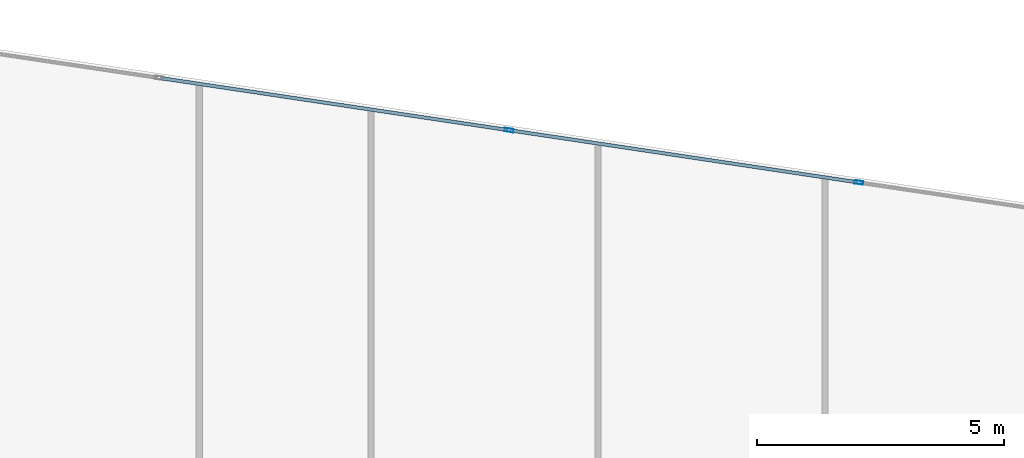
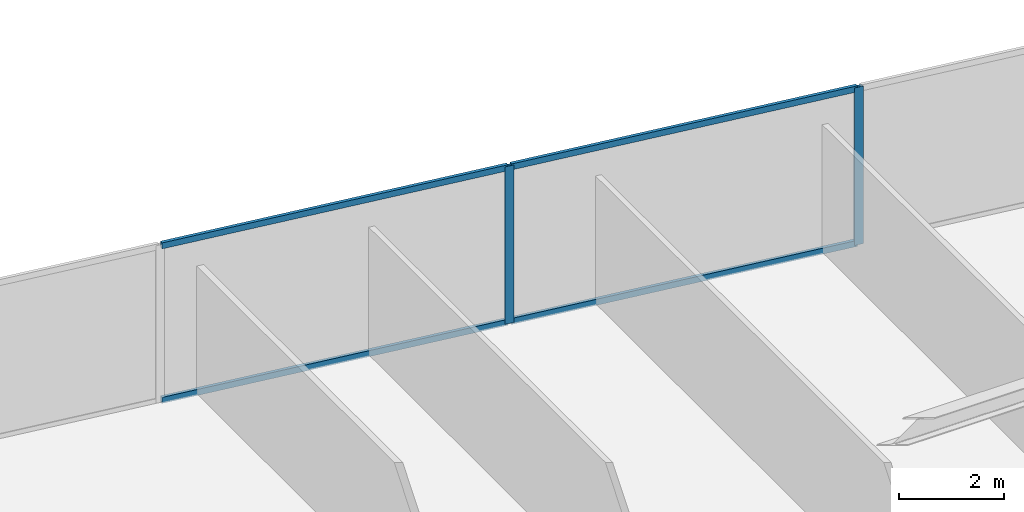
# One storey, part 19 of 29: 6 members, 1 element without a shape of its own.
"""IFC4 building model written with IfcOpenShell, lengths in metres."""

from ifc_helpers import new_model, si_unit, direction, frame, origin, origin_2d, place, context, subcontext, project, spatial, hollow_rectangle, extrude, source, transform, mapped, material, material_profile, profile_set, type_object, type_shapes, element, aggregate, save


model = new_model("IFC4")

# Units and contexts
model_context = context("Model", 3, precision=1e-05, world=origin(), true_north=direction((0.0, 1.0)))
body_context = subcontext(model_context, "Body", "Model", "MODEL_VIEW")
ifc_project = project(units=[si_unit("LENGTHUNIT", "METRE"), si_unit("AREAUNIT", "SQUARE_METRE"), si_unit("VOLUMEUNIT", "CUBIC_METRE"), si_unit("PLANEANGLEUNIT", "RADIAN"), si_unit("MASSUNIT", "GRAM", prefix="KILO")], contexts=[model_context])

# Site, building, storey
site_placement = place(None, origin())
site = spatial("IfcSite", under=ifc_project, at=site_placement, CompositionType="ELEMENT")
building_placement = place(site_placement, origin())
building = spatial("IfcBuilding", under=site, at=building_placement, Name="Krantzveldt Concourse Tower", CompositionType="ELEMENT")
storey_placement = place(building_placement, frame((0.0, 0.0, 72.39990234375)))
storey = spatial("IfcBuildingStorey", under=building, at=storey_placement, Name="L17", CompositionType="ELEMENT", Elevation=72.39990234375)

# Curtain wall, members
ifc_material = material(Name="Anodised aluminium 6063-T6", Category="aluminium")
curtain_wall_type = type_object("IfcCurtainWallType", Name="CW2", PredefinedType="USERDEFINED", material=ifc_material)
curtain_wall_placement = place(storey_placement, origin())
curtain_wall = element("IfcCurtainWall", 1, at=curtain_wall_placement, inside=storey, type_object=curtain_wall_type, Name="CW-L17-F10", ObjectType="UNITISED CURTAIN WALL", PredefinedType="USERDEFINED")
ifc_material_profile_1 = material_profile(ifc_material, hollow_rectangle(XDim=0.070068359375, YDim=0.179931640625, WallThickness=0.0048828125, at=origin_2d()), Name="Anodised aluminium 6063-T6", Category="aluminium")
ifc_profile_set_1 = profile_set([ifc_material_profile_1], Name="Anodised aluminium 6063-T6 - ALU-MULL 180x70x5")
member_type_1 = type_object("IfcMemberType", Name="CW-MUL-180", PredefinedType="MULLION", material=ifc_profile_set_1)
shared_shape_1 = source(origin(), body_context, "Body", "SweptSolid", [
    extrude(hollow_rectangle(XDim=0.070068359375, YDim=0.179931640625, WallThickness=0.0048828125, at=origin_2d()), origin(), (0.0, 0.0, 1.0), 3.670166015625),
])
type_shapes(member_type_1, [shared_shape_1])
member_1_placement = place(storey_placement, frame((39.681884765625, 51.33642578125, 0.0), z_axis=(0.0, 0.0, 1.0), x_axis=(-0.147809505412, -0.989015849271, 0.0)))
member_1 = element("IfcMember", 2, at=member_1_placement, type_object=member_type_1, Name="CW-Z12 mullion 4", PredefinedType="MULLION", context=body_context, shape_type="MappedRepresentation", body=[
    mapped(shared_shape_1, transform((0.0, 0.0, 0.0), x_axis=(1.0, 0.0, 0.0), y_axis=(0.0, 1.0, 0.0), z_axis=(0.0, 0.0, 1.0), scale=1.0)),
])
member_2_placement = place(storey_placement, frame((32.593994140625, 52.395751953125, 0.0), z_axis=(0.0, 0.0, 1.0), x_axis=(-0.147809505412, -0.989015849271, 0.0)))
member_2 = element("IfcMember", 3, at=member_2_placement, type_object=member_type_1, Name="CW-Z12 mullion 5", PredefinedType="MULLION", context=body_context, shape_type="MappedRepresentation", body=[
    mapped(shared_shape_1, transform((0.0, 0.0, 0.0), x_axis=(1.0, 0.0, 0.0), y_axis=(0.0, 1.0, 0.0), z_axis=(0.0, 0.0, 1.0), scale=1.0)),
])
ifc_material_profile_2 = material_profile(ifc_material, hollow_rectangle(XDim=0.070068359375, YDim=0.139892578125, WallThickness=0.0048828125, at=origin_2d()), Name="Anodised aluminium 6063-T6", Category="aluminium")
ifc_profile_set_2 = profile_set([ifc_material_profile_2], Name="Anodised aluminium 6063-T6 - ALU-TRAN 140x70x5")
member_type_2 = type_object("IfcMemberType", Name="CW-TRN-150", PredefinedType="USERDEFINED", material=ifc_profile_set_2)
shared_shape_2 = source(origin(), body_context, "Body", "SweptSolid", [
    extrude(hollow_rectangle(XDim=0.070068359375, YDim=0.139892578125, WallThickness=0.0048828125, at=origin_2d()), origin(), (0.0, 0.0, 1.0), 7.096435546875),
])
type_shapes(member_type_2, [shared_shape_2])
member_3_placement = place(storey_placement, frame((39.647216796875, 51.341552734375, 0.03515625), z_axis=(-0.989012933084, 0.147829016748, 0.0), x_axis=(-0.147829016748, -0.989012933084, 0.0)))
member_3 = element("IfcMember", 4, at=member_3_placement, type_object=member_type_2, Name="CW-Z12 transom 4.1", ObjectType="TRANSOM", PredefinedType="USERDEFINED", context=body_context, shape_type="MappedRepresentation", body=[
    mapped(shared_shape_2, transform((0.0, 0.0, 0.0), x_axis=(1.0, 0.0, 0.0), y_axis=(0.0, 1.0, 0.0), z_axis=(0.0, 0.0, 1.0), scale=1.0)),
])
member_4_placement = place(storey_placement, frame((39.647216796875, 51.341552734375, 3.635009765625), z_axis=(-0.989012933084, 0.147829016748, 0.0), x_axis=(-0.147829016748, -0.989012933084, 0.0)))
member_4 = element("IfcMember", 5, at=member_4_placement, type_object=member_type_2, Name="CW-Z12 transom 4.2", ObjectType="TRANSOM", PredefinedType="USERDEFINED", context=body_context, shape_type="MappedRepresentation", body=[
    mapped(shared_shape_2, transform((0.0, 0.0, 0.0), x_axis=(1.0, 0.0, 0.0), y_axis=(0.0, 1.0, 0.0), z_axis=(0.0, 0.0, 1.0), scale=1.0)),
])
member_5_placement = place(storey_placement, frame((32.559326171875, 52.40087890625, 0.03515625), z_axis=(-0.989017962398, 0.147795365468, 0.0), x_axis=(-0.147795365468, -0.989017962398, 0.0)))
member_5 = element("IfcMember", 6, at=member_5_placement, type_object=member_type_2, Name="CW-Z12 transom 5.1", ObjectType="TRANSOM", PredefinedType="USERDEFINED", context=body_context, shape_type="MappedRepresentation", body=[
    mapped(shared_shape_2, transform((0.0, 0.0, 0.0), x_axis=(1.0, 0.0, 0.0), y_axis=(0.0, 1.0, 0.0), z_axis=(0.0, 0.0, 1.0), scale=1.0)),
])
member_6_placement = place(storey_placement, frame((32.559326171875, 52.40087890625, 3.635009765625), z_axis=(-0.989017962398, 0.147795365468, 0.0), x_axis=(-0.147795365468, -0.989017962398, 0.0)))
member_6 = element("IfcMember", 7, at=member_6_placement, type_object=member_type_2, Name="CW-Z12 transom 5.2", ObjectType="TRANSOM", PredefinedType="USERDEFINED", context=body_context, shape_type="MappedRepresentation", body=[
    mapped(shared_shape_2, transform((0.0, 0.0, 0.0), x_axis=(1.0, 0.0, 0.0), y_axis=(0.0, 1.0, 0.0), z_axis=(0.0, 0.0, 1.0), scale=1.0)),
])
aggregate(curtain_wall, [member_1, member_2, member_3, member_4, member_5, member_6])

save(model, "model.ifc")
